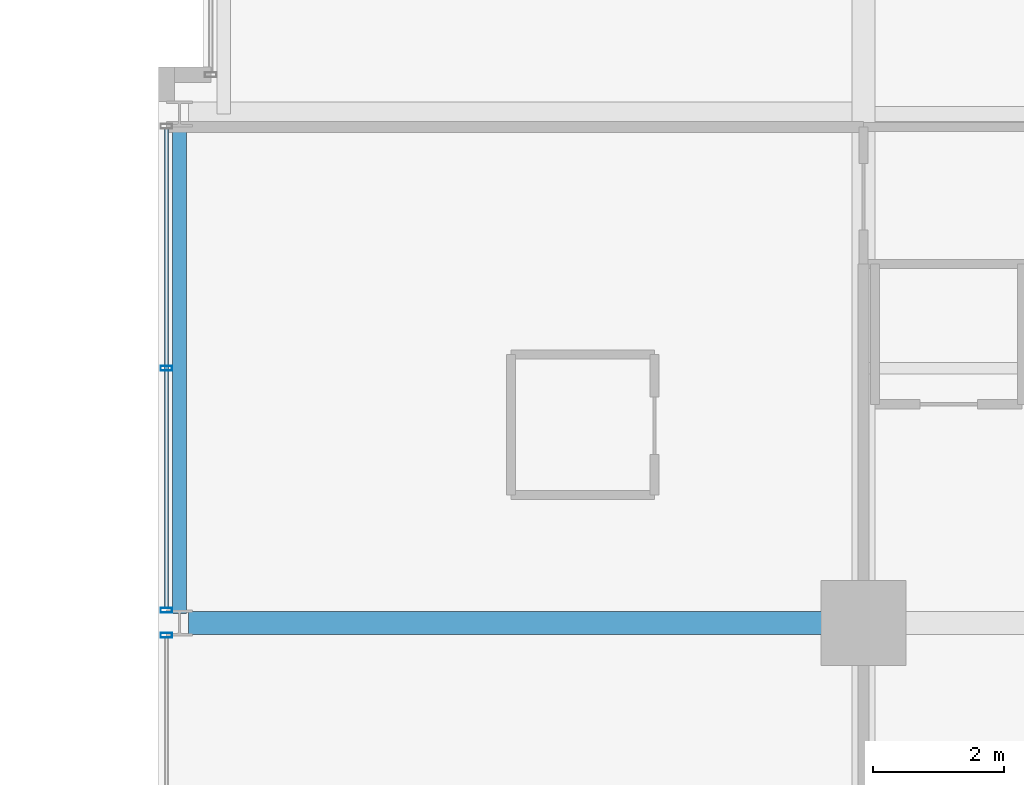
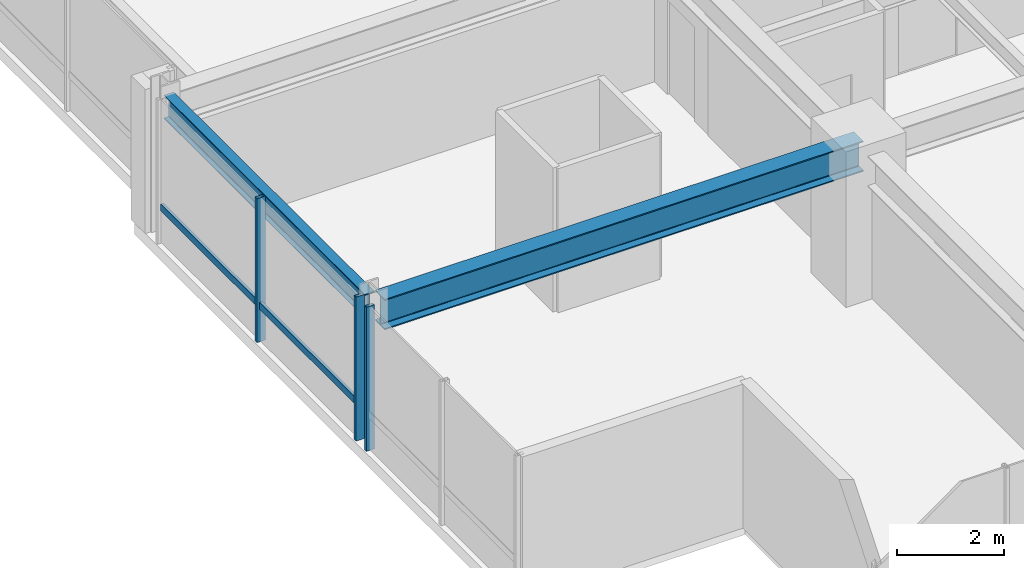
# One storey, part 4 of 32: 4 members, 2 beams, 2 elements without a shape of their own.
"""IFC4 building model written with IfcOpenShell, lengths in metres."""

from ifc_helpers import new_model, si_unit, direction, frame, origin, origin_2d, place, context, subcontext, project, spatial, hollow_rectangle, i_section, extrude, material, layer, layer_set, material_profile, profile_set, type_object, element, aggregate, save


model = new_model("IFC4")

# Units and contexts
model_context = context("Model", 3, precision=1e-05, world=origin(), true_north=direction((0.0, 1.0)))
body_context = subcontext(model_context, "Body", "Model", "MODEL_VIEW")
ifc_project = project(units=[si_unit("LENGTHUNIT", "METRE"), si_unit("AREAUNIT", "SQUARE_METRE"), si_unit("VOLUMEUNIT", "CUBIC_METRE"), si_unit("PLANEANGLEUNIT", "RADIAN"), si_unit("MASSUNIT", "GRAM", prefix="KILO")], contexts=[model_context])

# Site, building, storey
site_placement = place(None, origin())
site = spatial("IfcSite", under=ifc_project, at=site_placement, CompositionType="ELEMENT")
building_placement = place(site_placement, origin())
building = spatial("IfcBuilding", under=site, at=building_placement, Name="Drelvath Grand Hotel", CompositionType="ELEMENT")
storey_placement = place(building_placement, frame((0.0, 0.0, 189.449951171875)))
storey = spatial("IfcBuildingStorey", under=building, at=storey_placement, Name="L49", CompositionType="ELEMENT", Elevation=189.449951171875)

# Curtain wall, member
ifc_material_1 = material(Name="Brushed Pale-Silver Anodised Aluminium Frame", Category="aluminium")
ifc_layer = layer(ifc_material_1, 0.199951171875)
ifc_layer_set = layer_set([ifc_layer], Name="Brushed Pale-Silver Anodised Aluminium Frame")
curtain_wall_type = type_object("IfcCurtainWallType", Name="Stick Curtain Wall CW-04 Brushed Silver Upper-Mid", PredefinedType="NOTDEFINED", material=ifc_layer_set)
curtain_wall_1_placement = place(storey_placement, origin())
curtain_wall_1 = element("IfcCurtainWall", 1, at=curtain_wall_1_placement, inside=storey, type_object=curtain_wall_type, Name="L49 CW-04 Curtain Wall CW04-L49-WS2", PredefinedType="NOTDEFINED")
ifc_material_profile_1 = material_profile(ifc_material_1, hollow_rectangle(XDim=0.06494140625, YDim=0.159912109375, WallThickness=0.00390625, at=origin_2d()), Name="HSS160X65X4")
ifc_profile_set_1 = profile_set([ifc_material_profile_1], Name="Brushed Pale-Silver Anodised Aluminium Frame")
member_type_1 = type_object("IfcMemberType", Name="Curtain Wall Horizontal Transom CW-04 HSS160X65X4", PredefinedType="USERDEFINED", material=ifc_profile_set_1)
member_1_placement = place(storey_placement, frame((-26.8798828125, 11.03173828125, 0.822509765625), z_axis=(0.0, 1.0, 0.0), x_axis=(-1.0, 0.0, 0.0)))
member_1 = element("IfcMember", 2, at=member_1_placement, type_object=member_type_1, Name="CW04-L49-WS2 Sill Transom", ObjectType="TRANSOM", PredefinedType="USERDEFINED", context=body_context, shape_type="SweptSolid", body=[
    extrude(hollow_rectangle(XDim=0.06494140625, YDim=0.159912109375, WallThickness=0.00390625, at=origin_2d()), origin(), (0.0, 0.0, 1.0), 7.336669921875),
])

curtain_wall_2_placement = place(storey_placement, origin())
curtain_wall_2 = element("IfcCurtainWall", 3, at=curtain_wall_2_placement, inside=storey, type_object=curtain_wall_type, Name="L49 CW-04 Curtain Wall CW04-L49-WS1", PredefinedType="NOTDEFINED")
ifc_material_profile_2 = material_profile(ifc_material_1, hollow_rectangle(XDim=0.074951171875, YDim=0.179931640625, WallThickness=0.0048828125, at=origin_2d()), Name="HSS180X75X5")
ifc_profile_set_2 = profile_set([ifc_material_profile_2], Name="Brushed Pale-Silver Anodised Aluminium Frame")
member_type_2 = type_object("IfcMemberType", Name="Curtain Wall Vertical Mullion CW-04 HSS180X75X5", PredefinedType="MULLION", material=ifc_profile_set_2)
member_2_placement = place(storey_placement, frame((-26.8798828125, 10.6083984375, 0.0), z_axis=(0.0, 0.0, 1.0), x_axis=(0.0, 1.0, 0.0)))
member_2 = element("IfcMember", 4, at=member_2_placement, type_object=member_type_2, Name="CW04-L49-WS1 Mullion 3", PredefinedType="MULLION", context=body_context, shape_type="SweptSolid", body=[
    extrude(hollow_rectangle(XDim=0.074951171875, YDim=0.179931640625, WallThickness=0.0048828125, at=origin_2d()), origin(), (0.0, 0.0, 1.0), 3.2900390625),
])
aggregate(curtain_wall_2, [member_2])

# Member
member_3_placement = place(storey_placement, frame((-26.8798828125, 10.99169921875, 0.0), z_axis=(0.0, 0.0, 1.0), x_axis=(0.0, 1.0, 0.0)))
member_3 = element("IfcMember", 5, at=member_3_placement, type_object=member_type_2, Name="CW04-L49-WS2 Mullion 1", PredefinedType="MULLION", context=body_context, shape_type="SweptSolid", body=[
    extrude(hollow_rectangle(XDim=0.074951171875, YDim=0.179931640625, WallThickness=0.0048828125, at=origin_2d()), origin(), (0.0, 0.0, 1.0), 3.2900390625),
])

member_4_placement = place(storey_placement, frame((-26.8798828125, 14.7001953125, 0.0), z_axis=(0.0, 0.0, 1.0), x_axis=(0.0, 1.0, 0.0)))
member_4 = element("IfcMember", 6, at=member_4_placement, type_object=member_type_2, Name="CW04-L49-WS2 Mullion 2", PredefinedType="MULLION", context=body_context, shape_type="SweptSolid", body=[
    extrude(hollow_rectangle(XDim=0.074951171875, YDim=0.179931640625, WallThickness=0.0048828125, at=origin_2d()), origin(), (0.0, 0.0, 1.0), 3.2900390625),
])

aggregate(curtain_wall_1, [member_3, member_4, member_1])

# Beams
ifc_material_2 = material(Name="Steel ASTM A992 Gr 50", Category="steel")
ifc_material_profile_3 = material_profile(ifc_material_2, i_section(OverallWidth=0.210205078125, OverallDepth=0.53662109375, WebThickness=0.010986328125, FlangeThickness=0.017333984375, FilletRadius=0.01806640625, at=origin_2d()), Name="W21X68")
ifc_profile_set_3 = profile_set([ifc_material_profile_3], Name="Steel ASTM A992 Gr 50")
beam_type_1 = type_object("IfcBeamType", Name="Perimeter Spandrel Beam W21X68", PredefinedType="SPANDREL", material=ifc_profile_set_3)
beam_1_placement = place(storey_placement, frame((-26.679931640625, 10.93994140625, 3.021728515625), z_axis=(0.0, 1.0, 0.0), x_axis=(-1.0, 0.0, 0.0)))
element("IfcBeam", 7, at=beam_1_placement, inside=storey, type_object=beam_type_1, Name="L49 Spandrel West S", PredefinedType="SPANDREL", context=body_context, shape_type="SweptSolid", body=[
    extrude(i_section(OverallWidth=0.210205078125, OverallDepth=0.53662109375, WebThickness=0.010986328125, FlangeThickness=0.017333984375, FilletRadius=0.01806640625, at=origin_2d()), origin(), (0.0, 0.0, 1.0), 7.52001953125),
])
ifc_material_profile_4 = material_profile(ifc_material_2, i_section(OverallWidth=0.354736328125, OverallDepth=0.695556640625, WebThickness=0.015380859375, FlangeThickness=0.025146484375, FilletRadius=0.02392578125, at=origin_2d()), Name="W27X146")
ifc_profile_set_4 = profile_set([ifc_material_profile_4], Name="Steel ASTM A992 Gr 50")
beam_type_2 = type_object("IfcBeamType", Name="Primary Floor Girder W27X146", PredefinedType="BEAM", material=ifc_profile_set_4)
beam_2_placement = place(storey_placement, frame((-26.5400390625, 10.800048828125, 2.9423828125), z_axis=(1.0, 0.0, 0.0), x_axis=(0.0, 1.0, 0.0)))
element("IfcBeam", 8, at=beam_2_placement, inside=storey, type_object=beam_type_2, Name="L49 West Grid Girder C", PredefinedType="BEAM", context=body_context, shape_type="SweptSolid", body=[
    extrude(i_section(OverallWidth=0.354736328125, OverallDepth=0.695556640625, WebThickness=0.015380859375, FlangeThickness=0.025146484375, FilletRadius=0.02392578125, at=origin_2d()), origin(), (0.0, 0.0, 1.0), 10.340087890625),
])

save(model, "model.ifc")
